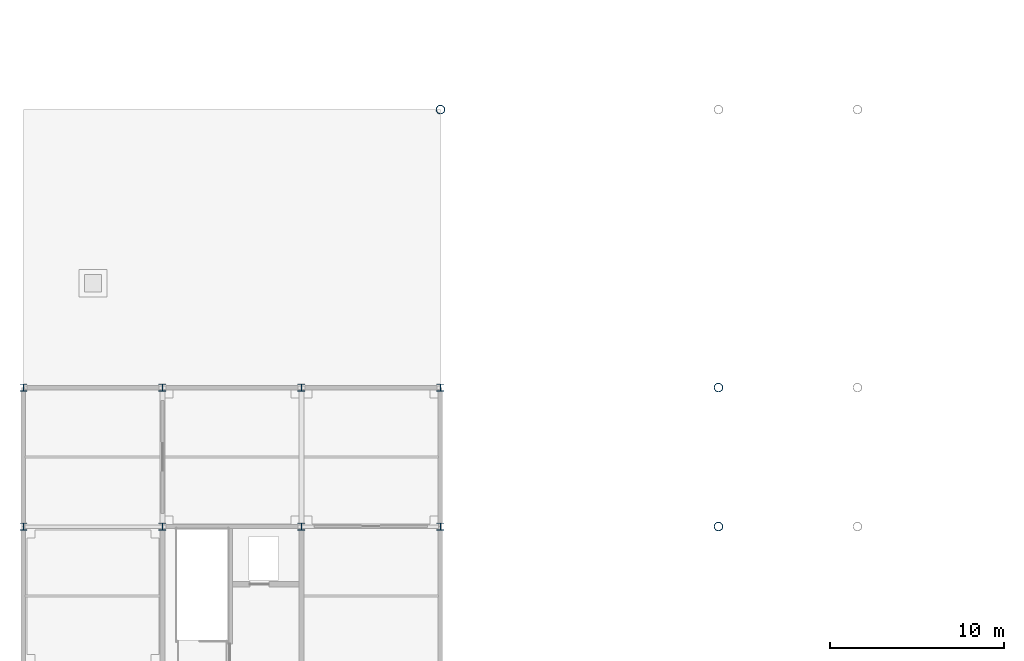
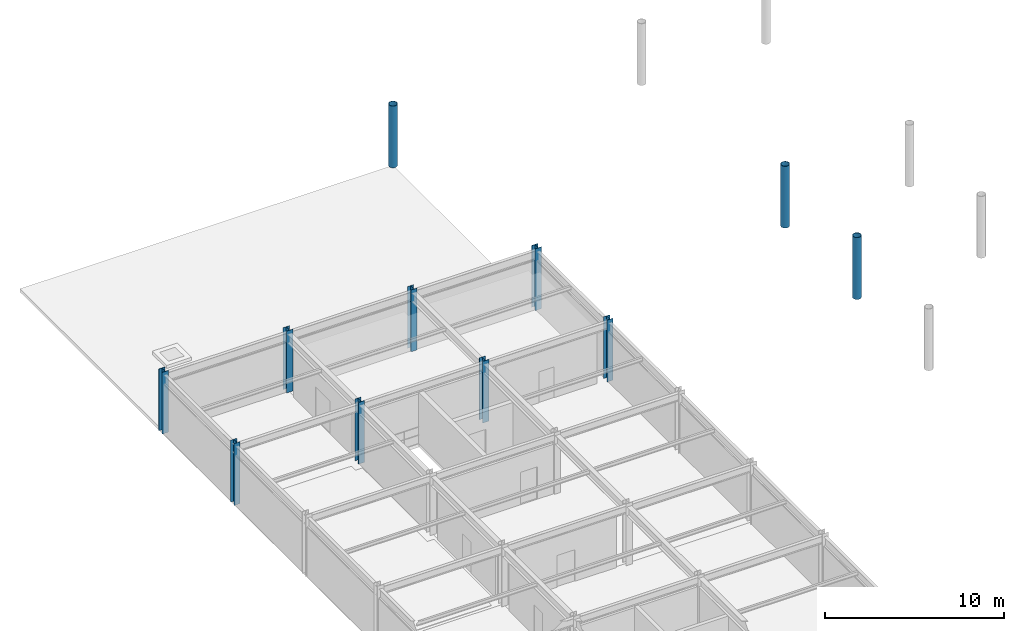
# One storey, part 6 of 41: 11 columns.
"""IFC4 building model written with IfcOpenShell, lengths in metres."""

from ifc_helpers import new_model, si_unit, direction, frame, origin, origin_2d, place, context, subcontext, project, spatial, hollow_circle, i_section, extrude, material, material_profile, profile_set, type_object, element, save


model = new_model("IFC4")

# Units and contexts
model_context = context("Model", 3, precision=1e-05, world=origin(), true_north=direction((0.0, 1.0)))
body_context = subcontext(model_context, "Body", "Model", "MODEL_VIEW")
ifc_project = project(units=[si_unit("LENGTHUNIT", "METRE"), si_unit("AREAUNIT", "SQUARE_METRE"), si_unit("VOLUMEUNIT", "CUBIC_METRE"), si_unit("PLANEANGLEUNIT", "RADIAN"), si_unit("MASSUNIT", "GRAM", prefix="KILO")], contexts=[model_context])

# Site, building, storey
site_placement = place(None, origin())
site = spatial("IfcSite", under=ifc_project, at=site_placement, CompositionType="ELEMENT")
building_placement = place(site_placement, origin())
building = spatial("IfcBuilding", under=site, at=building_placement, Name="Haebicheon Civic Stadium", CompositionType="ELEMENT")
storey_placement = place(building_placement, frame((0.0, 0.0, 27.0)))
storey = spatial("IfcBuildingStorey", under=building, at=storey_placement, Name="L07", CompositionType="ELEMENT", Elevation=27.0)

# Columns
ifc_material_1 = material(Name="White painted steel SM490", Category="steel")
ifc_material_profile_1 = material_profile(ifc_material_1, hollow_circle(Radius=0.25390625, WallThickness=0.02490234375, at=origin_2d()), Name="CHS-508.0x25.0")
ifc_profile_set_1 = profile_set([ifc_material_profile_1], Name="White painted steel SM490")
column_type_1 = type_object("IfcColumnType", Name="COL-ST-CHS508", PredefinedType="COLUMN", material=ifc_profile_set_1)
for number, where, z_axis, x_axis, name in (
    (1, (64.0, 112.0, 0.0), (0.0, 0.0, 1.0), (1.0, 0.0, 0.0), "Bowl/canopy support column 64/112 (L07)"),
    (2, (64.0, 120.0, 0.0), (0.0, 0.0, 1.0), (1.0, 0.0, 0.0), "Bowl/canopy support column 64/120 (L07)"),
    (3, (48.0, 136.0, 0.0), (0.0, 0.0, 1.0), (1.0, 0.0, 0.0), "Bowl/canopy support column 48/136 (L07)"),
):
    element("IfcColumn", number, at=place(storey_placement, frame(where, z_axis=z_axis, x_axis=x_axis)), inside=storey, type_object=column_type_1, material=ifc_profile_set_1, Name=name, PredefinedType="COLUMN", context=body_context, shape_type="SweptSolid", body=[
        extrude(hollow_circle(Radius=0.25390625, WallThickness=0.02490234375, at=origin_2d()), origin(), (0.0, 0.0, 1.0), 4.199951171875),
    ])
ifc_material_2 = material(Name="Steel SM355 (S355)", Category="steel")
ifc_material_profile_2 = material_profile(ifc_material_2, i_section(OverallWidth=0.39990234375, OverallDepth=0.39990234375, WebThickness=0.012939453125, FlangeThickness=0.02099609375, at=origin_2d()), Name="H-400x400x13x21")
ifc_profile_set_2 = profile_set([ifc_material_profile_2], Name="Steel SM355 (S355)")
column_type_2 = type_object("IfcColumnType", Name="COL-ST-H400", PredefinedType="COLUMN", material=ifc_profile_set_2)
for number, where, z_axis, x_axis, name in (
    (4, (24.0, 112.0, 0.0), (0.0, 0.0, 1.0), (1.0, 0.0, 0.0), "L07 column 4/Q"),
    (5, (24.0, 120.0, 0.0), (0.0, 0.0, 1.0), (1.0, 0.0, 0.0), "L07 column 4/R"),
    (6, (32.0, 112.0, 0.0), (0.0, 0.0, 1.0), (1.0, 0.0, 0.0), "L07 column 5/Q"),
    (7, (32.0, 120.0, 0.0), (0.0, 0.0, 1.0), (1.0, 0.0, 0.0), "L07 column 5/R"),
    (8, (40.0, 112.0, 0.0), (0.0, 0.0, 1.0), (1.0, 0.0, 0.0), "L07 column 6/Q"),
    (9, (40.0, 120.0, 0.0), (0.0, 0.0, 1.0), (1.0, 0.0, 0.0), "L07 column 6/R"),
    (10, (48.0, 112.0, 0.0), (0.0, 0.0, 1.0), (1.0, 0.0, 0.0), "L07 column 7/Q"),
    (11, (48.0, 120.0, 0.0), (0.0, 0.0, 1.0), (1.0, 0.0, 0.0), "L07 column 7/R"),
):
    element("IfcColumn", number, at=place(storey_placement, frame(where, z_axis=z_axis, x_axis=x_axis)), inside=storey, type_object=column_type_2, material=ifc_profile_set_2, Name=name, PredefinedType="COLUMN", context=body_context, shape_type="SweptSolid", body=[
        extrude(i_section(OverallWidth=0.39990234375, OverallDepth=0.39990234375, WebThickness=0.012939453125, FlangeThickness=0.02099609375, at=origin_2d()), origin(), (0.0, 0.0, 1.0), 4.199951171875),
    ])

save(model, "model.ifc")
